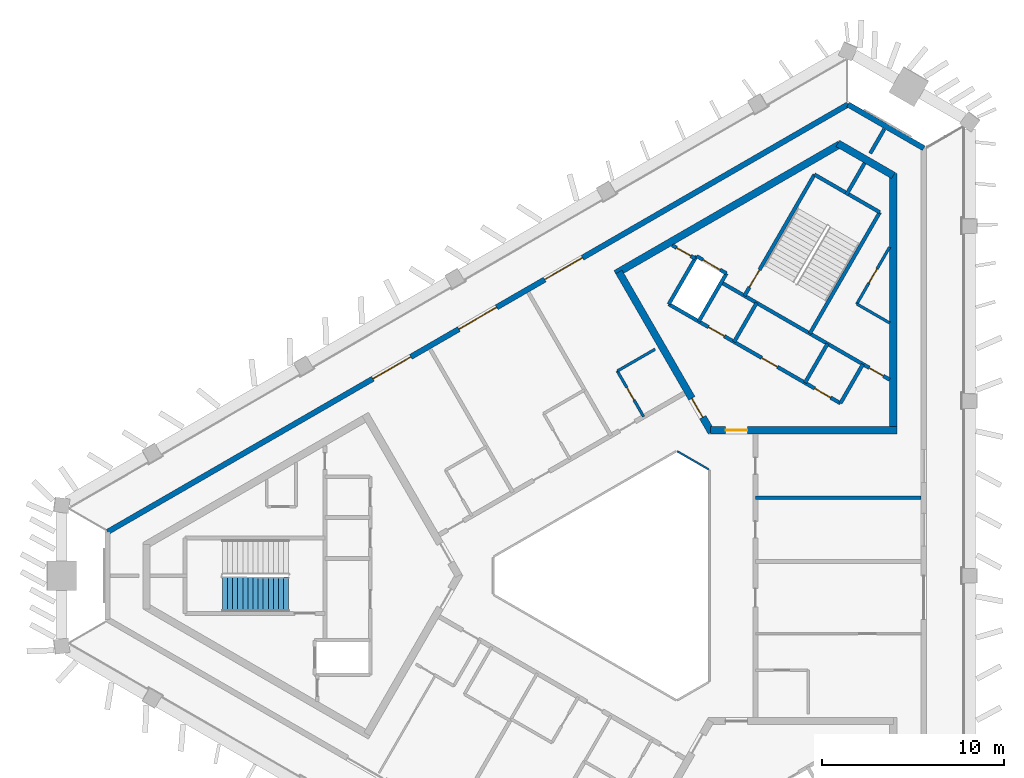
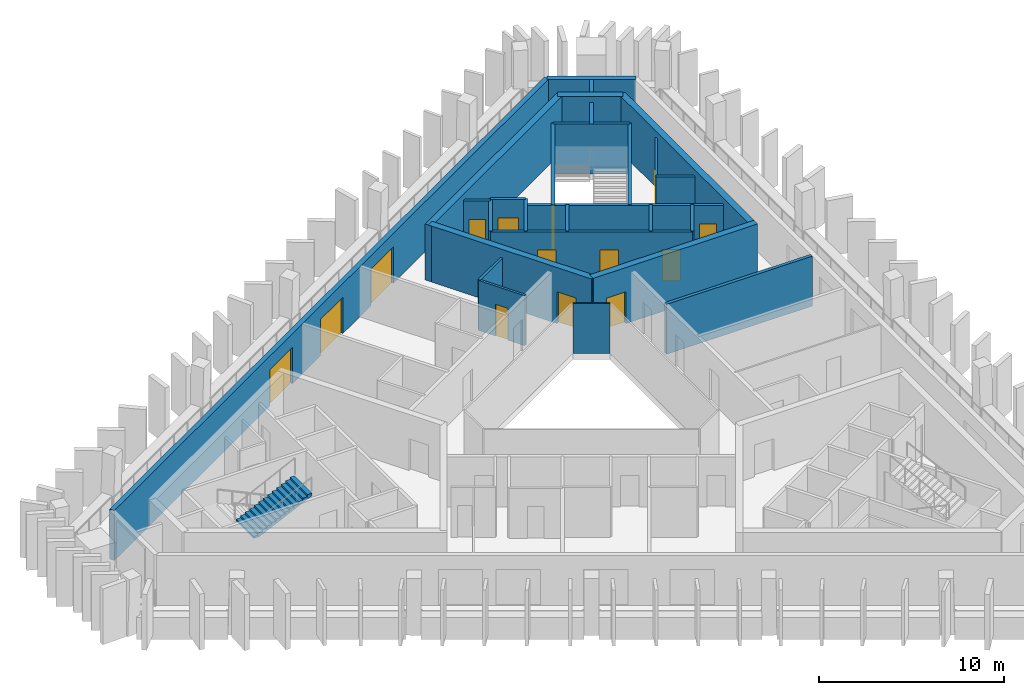
# One storey, part 5 of 10: 27 walls, 14 doors, 1 stair flight, 14 openings, 1 element without a shape of its own.
"""IFC4 building model written with IfcOpenShell, lengths in metres."""

import ifcopenshell
import ifcopenshell.guid

model = None  # the IFC model being written
_history = None  # IfcOwnerHistory: only IFC2X3 demands one
_inside = {}  # id of a spatial element -> (the spatial element, [elements in it])
_under = {}  # id of a project, library or spatial element -> (it, [spatial elements below it])
_declared = {}  # id of a project -> (the project, [libraries it declares])
_typed = {}  # id of a type object -> (the type object, [elements of that type])
_made_of = {}  # id of a material, layer set ... -> (it, [elements and type objects made of it])


def new_model(schema):
    """Start an empty IFC model of exactly this schema.

    Asked for "IFC4X3", IfcOpenShell would pick the latest addendum, in which some entities
    have other attributes; the version numbers below select the first issue.
    IFC2X3 requires an IfcOwnerHistory on every rooted entity: one is made here for all.
    """
    global model, _history
    if schema == "IFC4X3":
        model = ifcopenshell.file(schema_version=(4, 3, 0, 0))
    else:
        model = ifcopenshell.file(schema=schema)
    _inside.clear()
    _under.clear()
    _declared.clear()
    _typed.clear()
    _made_of.clear()
    _history = None
    if model.schema == "IFC2X3":
        org = make("IfcOrganization", Name="unknown")
        user = make(
            "IfcPersonAndOrganization",
            ThePerson=make("IfcPerson", FamilyName="unknown"),
            TheOrganization=org,
        )
        app = make(
            "IfcApplication",
            ApplicationDeveloper=org,
            Version="unknown",
            ApplicationFullName="unknown",
            ApplicationIdentifier="unknown",
        )
        _history = make(
            "IfcOwnerHistory",
            OwningUser=user,
            OwningApplication=app,
            ChangeAction="ADDED",
            CreationDate=0,
        )
    return model


def make(cls, **values):
    """One entity of the class cls with the attributes given. An attribute that is None is left unset."""
    return model.create_entity(
        cls, **{name: value for name, value in values.items() if value is not None}
    )


def rooted(cls, **values):
    """An entity with a GlobalId (a new one), such as an element, a storey or a relation."""
    return make(cls, GlobalId=ifcopenshell.guid.new(), OwnerHistory=_history, **values)


def si_unit(unit_type, name, prefix=None):
    """IfcSIUnit, for example si_unit("LENGTHUNIT", "METRE", prefix="MILLI")."""
    return make("IfcSIUnit", UnitType=unit_type, Prefix=prefix, Name=name)


def assignment(units):
    """IfcUnitAssignment: the units of a project."""
    return None if units is None else make("IfcUnitAssignment", Units=units)


def point(xyz):
    """IfcCartesianPoint."""
    return None if xyz is None else make("IfcCartesianPoint", Coordinates=xyz)


def direction(xyz):
    """IfcDirection."""
    return None if xyz is None else make("IfcDirection", DirectionRatios=xyz)


def frame(location, z_axis=None, x_axis=None):
    """IfcAxis2Placement3D, a coordinate frame: its origin and axes. An axis left out is left unset."""
    return make(
        "IfcAxis2Placement3D",
        Location=point(location),
        Axis=direction(z_axis),
        RefDirection=direction(x_axis),
    )


def frame_2d(location, x_axis=None):
    """IfcAxis2Placement2D, a coordinate frame in the plane: its origin and x axis."""
    return make(
        "IfcAxis2Placement2D", Location=point(location), RefDirection=direction(x_axis)
    )


def origin():
    """The frame at (0, 0, 0) with its axes left unset."""
    return frame((0.0, 0.0, 0.0))


def place(relative_to, where):
    """IfcLocalPlacement: puts the frame where relative to a parent placement (None: the world)."""
    return make(
        "IfcLocalPlacement", PlacementRelTo=relative_to, RelativePlacement=where
    )


def context(
    kind, dimensions, precision=None, world=None, true_north=None, identifier=None
):
    """IfcGeometricRepresentationContext, for example the 3D "Model" context."""
    return make(
        "IfcGeometricRepresentationContext",
        ContextIdentifier=identifier,
        ContextType=kind,
        CoordinateSpaceDimension=dimensions,
        Precision=precision,
        WorldCoordinateSystem=world,
        TrueNorth=true_north,
    )


def subcontext(parent, identifier, kind, view, scale=None):
    """IfcGeometricRepresentationSubContext, for example "Body" below "Model"."""
    return make(
        "IfcGeometricRepresentationSubContext",
        ContextIdentifier=identifier,
        ContextType=kind,
        ParentContext=parent,
        TargetScale=scale,
        TargetView=view,
    )


def project(units=None, contexts=None):
    """IfcProject with its units and contexts."""
    return rooted(
        "IfcProject",
        Name="project",
        RepresentationContexts=contexts,
        UnitsInContext=assignment(units),
    )


def spatial(cls, under=None, at=None, **own):
    """A site, building, storey or space (cls), placed at a placement, below another one or the project."""
    s = rooted(cls, ObjectPlacement=at, **own)
    if under is not None:
        _under.setdefault(under.id(), (under, []))[1].append(s)
    return s


def polyline(points):
    """IfcPolyline through the points."""
    return make("IfcPolyline", Points=[point(p) for p in points])


def profile(cls, at=None, kind="AREA", **sizes):
    """A parametric profile (cls). Its sizes go by their IFC names, for example OverallWidth=200.0."""
    return make(cls, ProfileType=kind, Position=at, **sizes)


def rectangle(**sizes):
    """IfcRectangleProfileDef."""
    return profile("IfcRectangleProfileDef", **sizes)


def outline(outer, holes=None, kind="AREA"):
    """IfcArbitraryClosedProfileDef: a profile drawn as a closed curve; with holes, ...WithVoids."""
    if holes is None:
        return make("IfcArbitraryClosedProfileDef", ProfileType=kind, OuterCurve=outer)
    return make(
        "IfcArbitraryProfileDefWithVoids",
        ProfileType=kind,
        OuterCurve=outer,
        InnerCurves=holes,
    )


def extrude(swept, where, along, depth):
    """IfcExtrudedAreaSolid: the profile swept, set in the frame where, extruded along a direction by depth."""
    return make(
        "IfcExtrudedAreaSolid",
        SweptArea=swept,
        Position=where,
        ExtrudedDirection=direction(along),
        Depth=depth,
    )


def shape(context_of_items, identifier, shape_type, items):
    """IfcShapeRepresentation: the items that make up one representation, for example the "Body"."""
    return make(
        "IfcShapeRepresentation",
        ContextOfItems=context_of_items,
        RepresentationIdentifier=identifier,
        RepresentationType=shape_type,
        Items=items,
    )


def material(Name=None, Category=None):
    """IfcMaterial."""
    return make("IfcMaterial", Name=Name, Category=Category)


def layer(
    of_material, thickness, ventilated=None, Name=None, Category=None, Priority=None
):
    """IfcMaterialLayer: one layer of a wall or slab, of a material (None: an air gap)."""
    return make(
        "IfcMaterialLayer",
        Material=of_material,
        LayerThickness=thickness,
        IsVentilated=ventilated,
        Name=Name,
        Category=Category,
        Priority=Priority,
    )


def layer_set(layers, Name=None):
    """IfcMaterialLayerSet."""
    return make("IfcMaterialLayerSet", MaterialLayers=layers, LayerSetName=Name)


def made_of(thing, what):
    """Note that an element or type object is made of a material, layer set ...; save() writes the relation."""
    if what is not None:
        _made_of.setdefault(what.id(), (what, []))[1].append(thing)
    return thing


def type_object(cls, material=None, **own):
    """A type object (cls), such as IfcWallType, which elements share."""
    return made_of(rooted(cls, **own), material)


def element(
    cls,
    number,
    at=None,
    inside=None,
    cuts=None,
    type_object=None,
    material=None,
    context=None,
    identifier="Body",
    shape_type=None,
    held_by="IfcProductDefinitionShape",
    body=None,
    shapes=None,
    **own,
):
    """One element of the class cls, such as IfcWall. Its Tag is "e" and its number.

    at: its placement. inside: the storey or other place that contains it. cuts: it is an
    opening in that element (IfcRelVoidsElement). A single representation is given by context,
    identifier, shape_type and body (its items); several are given by shapes. held_by: the class
    of the entity that holds the representations. save() writes the other relations.
    """
    e = rooted(cls, Tag="e%d" % number, ObjectPlacement=at, **own)
    if body is not None:
        shapes = [shape(context, identifier, shape_type, body)]
    if shapes is not None:
        e.Representation = make(held_by, Representations=shapes)
    if inside is not None:
        _inside.setdefault(inside.id(), (inside, []))[1].append(e)
    if cuts is not None:
        rooted(
            "IfcRelVoidsElement", RelatingBuildingElement=cuts, RelatedOpeningElement=e
        )
    if type_object is not None:
        _typed.setdefault(type_object.id(), (type_object, []))[1].append(e)
    return made_of(e, material)


def fill(opening, filler):
    """IfcRelFillsElement: the door or window that sits in an opening."""
    return rooted(
        "IfcRelFillsElement",
        RelatingOpeningElement=opening,
        RelatedBuildingElement=filler,
    )


def aggregate(whole, parts):
    """IfcRelAggregates: a whole, such as a stair, and the parts it consists of."""
    return rooted("IfcRelAggregates", RelatingObject=whole, RelatedObjects=parts)


def save(model, path):
    """Write the relations noted so far, then the file.

    IfcRelAggregates (storeys below a building ...), IfcRelContainedInSpatialStructure (elements
    in a storey), IfcRelDefinesByType, IfcRelAssociatesMaterial and IfcRelDeclares: one each for
    every whole, place, type object, material and project.
    """
    for whole, parts in _under.values():
        aggregate(whole, parts)
    for where, things in _inside.values():
        rooted(
            "IfcRelContainedInSpatialStructure",
            RelatedElements=things,
            RelatingStructure=where,
        )
    for kind, things in _typed.values():
        rooted("IfcRelDefinesByType", RelatedObjects=things, RelatingType=kind)
    for what, things in _made_of.values():
        rooted("IfcRelAssociatesMaterial", RelatedObjects=things, RelatingMaterial=what)
    for by, libraries in _declared.values():
        rooted("IfcRelDeclares", RelatingContext=by, RelatedDefinitions=libraries)
    model.write(path)


model = new_model("IFC4")

# Units and contexts
model_context = context("Model", 3, precision=1e-05, world=origin(), true_north=direction((0.0, 1.0)))
body_context = subcontext(model_context, "Body", "Model", "MODEL_VIEW")
ifc_project = project(units=[si_unit("LENGTHUNIT", "METRE"), si_unit("AREAUNIT", "SQUARE_METRE"), si_unit("VOLUMEUNIT", "CUBIC_METRE"), si_unit("PLANEANGLEUNIT", "RADIAN"), si_unit("MASSUNIT", "GRAM", prefix="KILO")], contexts=[model_context])

# Site, building, storey
site_placement = place(None, origin())
site = spatial("IfcSite", under=ifc_project, at=site_placement, CompositionType="ELEMENT")
building_placement = place(site_placement, origin())
building = spatial("IfcBuilding", under=site, at=building_placement, Name="Jabali Bay Hotel Tower and Convention Centre", CompositionType="ELEMENT")
storey_placement = place(building_placement, frame((0.0, 0.0, 284.89990234375)))
storey = spatial("IfcBuildingStorey", under=building, at=storey_placement, Name="L70", CompositionType="ELEMENT", Elevation=284.89990234375)

# Walls
ifc_material_1 = material(Name="Fire-resistant glazing", Category="glass")
ifc_layer_1 = layer(ifc_material_1, 0.10009765625)
ifc_layer_set_1 = layer_set([ifc_layer_1], Name="Fire-resistant glazing")
wall_type_1 = type_object("IfcWallType", Name="Atrium glazed screen 100", PredefinedType="PARTITIONING", material=ifc_layer_set_1)
wall_1_placement = place(storey_placement, frame((79.530029296875, 85.84619140625, 0.0), z_axis=(0.0, 0.0, 1.0), x_axis=(-0.866041268327, 0.499972520799, 0.0)))
element("IfcWall", 1, at=wall_1_placement, inside=storey, type_object=wall_type_1, Name="Atrium screen 2 L70", PredefinedType="PARTITIONING", context=body_context, shape_type="SweptSolid", body=[
    extrude(rectangle(XDim=2.0, YDim=0.10009765625, at=frame_2d((1.0, 0.0))), origin(), (0.0, 0.0, 1.0), 3.300048828125),
])
ifc_material_2 = material(Name="Concrete C40", Category="concrete")
ifc_layer_2 = layer(ifc_material_2, 0.199951171875)
ifc_layer_set_2 = layer_set([ifc_layer_2], Name="Concrete C40")
wall_type_2 = type_object("IfcWallType", Name="Core partition wall 200", PredefinedType="PARTITIONING", material=ifc_layer_set_2)
wall_2_placement = place(storey_placement, frame((87.090087890625, 100.9404296875, 0.0), z_axis=(0.0, 0.0, 1.0), x_axis=(0.499941815747, 0.866058993873, 0.0)))
element("IfcWall", 2, at=wall_2_placement, inside=storey, type_object=wall_type_2, Name="Core wall 1.4 L70", PredefinedType="PARTITIONING", context=body_context, shape_type="SweptSolid", body=[
    extrude(rectangle(XDim=2.023193359375, YDim=0.199951171875, at=frame_2d((1.01171875, 0.0))), origin(), (0.0, 0.0, 1.0), 3.300048828125),
])

# Wall, opening, door
wall_3_placement = place(storey_placement, frame((78.7802734375, 97.447509765625, 0.0), z_axis=(0.0, 0.0, 1.0), x_axis=(-0.866045896294, 0.499964504253, 0.0)))
wall_3 = element("IfcWall", 3, at=wall_3_placement, inside=storey, type_object=wall_type_2, Name="Core wall 1.11 L70", PredefinedType="PARTITIONING", context=body_context, shape_type="SweptSolid", body=[
    extrude(rectangle(XDim=1.455078125, YDim=0.199951171875, at=frame_2d((0.7275390625, 0.0))), origin(), (0.0, 0.0, 1.0), 3.300048828125),
])
opening_1_placement = place(wall_3_placement, frame((0.277587890625, 0.0, 0.0)))
opening_1 = element("IfcOpeningElement", 4, at=opening_1_placement, cuts=wall_3, Name="Opening D1553", PredefinedType="OPENING", context=body_context, shape_type="SweptSolid", body=[
    extrude(rectangle(XDim=0.89990234375, YDim=2.10009765625, at=frame_2d((0.449951171875, 1.050048828125))), frame((0.0, 0.1103515625, 0.0), z_axis=(0.0, -1.0, 0.0), x_axis=(1.0, 0.0, 0.0)), (0.0, 0.0, 1.0), 0.220947265625),
])
ifc_material_3 = material(Name="Fire-rated steel door", Category="steel")
door_type_1 = type_object("IfcDoorType", Name="Vestibule fire door 900 x 2100", OperationType="NOTDEFINED", PredefinedType="NOTDEFINED", material=ifc_material_3)
door_1_placement = place(opening_1_placement, origin())
door_1 = element("IfcDoor", 5, at=door_1_placement, inside=storey, type_object=door_type_1, Name="Vestibule fire door D1553", OperationType="SINGLE_SWING_LEFT", OverallHeight=2.10009765625, OverallWidth=0.89990234375, PredefinedType="NOTDEFINED", context=body_context, shape_type="SweptSolid", body=[
    extrude(rectangle(XDim=0.89990234375, YDim=2.10009765625, at=frame_2d((0.449951171875, 1.050048828125))), frame((0.0, 0.02490234375, 0.0), z_axis=(0.0, -1.0, 0.0), x_axis=(1.0, 0.0, 0.0)), (0.0, 0.0, 1.0), 0.050048828125),
])
fill(opening_1, door_1)

ifc_material_4 = material(Name="Fire-rated board partition")
ifc_layer_3 = layer(ifc_material_4, 0.14990234375)
ifc_layer_set_3 = layer_set([ifc_layer_3], Name="Fire-rated board partition")
wall_type_3 = type_object("IfcWallType", Name="Core room partition 150", PredefinedType="PARTITIONING", material=ifc_layer_set_3)
wall_4_placement = place(storey_placement, frame((87.671142578125, 94.947021484375, 0.0), z_axis=(0.0, 0.0, 1.0), x_axis=(0.499993116331, 0.866029378036, 0.0)))
wall_4 = element("IfcWall", 6, at=wall_4_placement, inside=storey, type_object=wall_type_3, Name="Core wall 1.1 L70", PredefinedType="PARTITIONING", context=body_context, shape_type="SweptSolid", body=[
    extrude(rectangle(XDim=3.61767578125, YDim=0.14990234375, at=frame_2d((1.808837890625, 0.0))), origin(), (0.0, 0.0, 1.0), 3.300048828125),
])
opening_2_placement = place(wall_4_placement, frame((1.33154296875, 0.0, 0.0)))
opening_2 = element("IfcOpeningElement", 7, at=opening_2_placement, cuts=wall_4, Name="Opening D1556", PredefinedType="OPENING", context=body_context, shape_type="SweptSolid", body=[
    extrude(rectangle(XDim=0.89990234375, YDim=2.10009765625, at=frame_2d((0.449951171875, 1.050048828125))), frame((0.0, 0.08544921875, 0.0), z_axis=(0.0, -1.0, 0.0), x_axis=(1.0, 0.0, 0.0)), (0.0, 0.0, 1.0), 0.1708984375),
])
door_type_2 = type_object("IfcDoorType", Name="Core room door 900 x 2100", OperationType="NOTDEFINED", PredefinedType="NOTDEFINED", material=ifc_material_3)
door_2_placement = place(opening_2_placement, origin())
door_2 = element("IfcDoor", 8, at=door_2_placement, inside=storey, type_object=door_type_2, Name="Core room door D1556", OperationType="SINGLE_SWING_LEFT", OverallHeight=2.10009765625, OverallWidth=0.89990234375, PredefinedType="NOTDEFINED", context=body_context, shape_type="SweptSolid", body=[
    extrude(rectangle(XDim=0.89990234375, YDim=2.10009765625, at=frame_2d((0.449951171875, 1.050048828125))), frame((0.0, 0.02490234375, 0.0), z_axis=(0.0, -1.0, 0.0), x_axis=(1.0, 0.0, 0.0)), (0.0, 0.0, 1.0), 0.050048828125),
])
fill(opening_2, door_2)

# Walls
wall_5_placement = place(storey_placement, frame((89.47998046875, 93.902587890625, 0.0), z_axis=(0.0, 0.0, 1.0), x_axis=(-0.866004557827, 0.500036104519, 0.0)))
element("IfcWall", 9, at=wall_5_placement, inside=storey, type_object=wall_type_3, Name="Core wall 1.13 L70", PredefinedType="PARTITIONING", context=body_context, shape_type="SweptSolid", body=[
    extrude(rectangle(XDim=2.088623046875, YDim=0.14990234375, at=frame_2d((1.04443359375, 0.0))), origin(), (0.0, 0.0, 1.0), 3.300048828125),
])
ifc_layer_4 = layer(ifc_material_2, 0.199951171875)
ifc_layer_set_4 = layer_set([ifc_layer_4], Name="Concrete C40")
wall_type_4 = type_object("IfcWallType", Name="Core stair wall 200", PredefinedType="SOLIDWALL", material=ifc_layer_set_4)
for number, where, z_axis, x_axis, name in (
    (10, (86.769775390625, 89.48583984375, 0.0), (0.0, 0.0, 1.0), (0.499961042966, 0.86604789447, 0.0), "Core wall 1.0 L70"),
    (11, (84.8212890625, 90.61083984375, 0.0), (0.0, 0.0, 1.0), (0.499961042966, 0.86604789447, 0.0), "Core wall 1.2 L70"),
):
    element("IfcWall", number, at=place(storey_placement, frame(where, z_axis=z_axis, x_axis=x_axis)), inside=storey, type_object=wall_type_4, Name=name, PredefinedType="SOLIDWALL", context=body_context, shape_type="SweptSolid", body=[
        extrude(rectangle(XDim=2.480224609375, YDim=0.199951171875, at=frame_2d((1.240234375, 0.0))), origin(), (0.0, 0.0, 1.0), 3.300048828125),
    ])
wall_6_placement = place(storey_placement, frame((85.0869140625, 93.3212890625, 0.0), z_axis=(0.0, 0.0, 1.0), x_axis=(0.500019787375, 0.866013979237, 0.0)))
element("IfcWall", 12, at=wall_6_placement, inside=storey, type_object=wall_type_4, Name="Core wall 1.3 L70", PredefinedType="SOLIDWALL", context=body_context, shape_type="SweptSolid", body=[
    extrude(rectangle(XDim=7.699951171875, YDim=0.199951171875, at=frame_2d((3.85009765625, 0.0))), origin(), (0.0, 0.0, 1.0), 3.300048828125),
])
wall_7_placement = place(storey_placement, frame((80.924072265625, 92.86083984375, 0.0), z_axis=(0.0, 0.0, 1.0), x_axis=(0.499961042966, 0.86604789447, 0.0)))
element("IfcWall", 13, at=wall_7_placement, inside=storey, type_object=wall_type_4, Name="Core wall 1.5 L70", PredefinedType="SOLIDWALL", context=body_context, shape_type="SweptSolid", body=[
    extrude(rectangle(XDim=2.480224609375, YDim=0.199951171875, at=frame_2d((1.240234375, 0.0))), origin(), (0.0, 0.0, 1.0), 3.300048828125),
])

# Wall, opening, door
wall_8_placement = place(storey_placement, frame((81.492919921875, 95.396240234375, 0.0), z_axis=(0.0, 0.0, 1.0), x_axis=(0.500006057782, 0.866021906294, 0.0)))
wall_8 = element("IfcWall", 14, at=wall_8_placement, inside=storey, type_object=wall_type_4, Name="Core wall 1.6 L70", PredefinedType="SOLIDWALL", context=body_context, shape_type="SweptSolid", body=[
    extrude(rectangle(XDim=7.7001953125, YDim=0.199951171875, at=frame_2d((3.85009765625, 0.0))), origin(), (0.0, 0.0, 1.0), 3.300048828125),
])
opening_3_placement = place(wall_8_placement, frame((0.550048828125, 0.0, 0.0)))
opening_3 = element("IfcOpeningElement", 15, at=opening_3_placement, cuts=wall_8, Name="Opening D1555", PredefinedType="OPENING", context=body_context, shape_type="SweptSolid", body=[
    extrude(rectangle(XDim=1.10009765625, YDim=2.10009765625, at=frame_2d((0.550048828125, 1.050048828125))), frame((0.0, 0.1103515625, 0.0), z_axis=(0.0, -1.0, 0.0), x_axis=(1.0, 0.0, 0.0)), (0.0, 0.0, 1.0), 0.220947265625),
])
door_type_3 = type_object("IfcDoorType", Name="Stair fire door 1100 x 2100", OperationType="NOTDEFINED", PredefinedType="NOTDEFINED", material=ifc_material_3)
door_3_placement = place(opening_3_placement, origin())
door_3 = element("IfcDoor", 16, at=door_3_placement, inside=storey, type_object=door_type_3, Name="Stair fire door D1555", OperationType="SINGLE_SWING_RIGHT", OverallHeight=2.10009765625, OverallWidth=1.10009765625, PredefinedType="NOTDEFINED", context=body_context, shape_type="SweptSolid", body=[
    extrude(rectangle(XDim=1.10009765625, YDim=2.10009765625, at=frame_2d((0.550048828125, 1.050048828125))), frame((0.0, 0.02490234375, 0.0), z_axis=(0.0, -1.0, 0.0), x_axis=(1.0, 0.0, 0.0)), (0.0, 0.0, 1.0), 0.050048828125),
])
fill(opening_3, door_3)

# Walls
for number, where, z_axis, x_axis, name in (
    (17, (78.9755859375, 93.98583984375, 0.0), (0.0, 0.0, 1.0), (0.499944174705, 0.866057632134, 0.0), "Core wall 1.7 L70"),
    (18, (77.330078125, 94.93603515625, 0.0), (0.0, 0.0, 1.0), (0.500038867431, 0.8660029625, 0.0), "Core wall 1.8 L70"),
):
    element("IfcWall", number, at=place(storey_placement, frame(where, z_axis=z_axis, x_axis=x_axis)), inside=storey, type_object=wall_type_4, Name=name, PredefinedType="SOLIDWALL", context=body_context, shape_type="SweptSolid", body=[
        extrude(rectangle(XDim=3.050048828125, YDim=0.199951171875, at=frame_2d((1.52490234375, 0.0))), origin(), (0.0, 0.0, 1.0), 3.300048828125),
    ])

# Wall, openings, doors
wall_9_placement = place(storey_placement, frame((86.769775390625, 89.48583984375, 0.0), z_axis=(0.0, 0.0, 1.0), x_axis=(-0.86601811187, 0.500012629753, 0.0)))
wall_9 = element("IfcWall", 19, at=wall_9_placement, inside=storey, type_object=wall_type_4, Name="Core wall 1.9 L70", PredefinedType="SOLIDWALL", context=body_context, shape_type="SweptSolid", body=[
    extrude(rectangle(XDim=10.900146484375, YDim=0.199951171875, at=frame_2d((5.4501953125, 0.0))), origin(), (0.0, 0.0, 1.0), 3.300048828125),
])
opening_4_placement = place(wall_9_placement, frame((0.625, 0.0, 0.0)))
opening_4 = element("IfcOpeningElement", 20, at=opening_4_placement, cuts=wall_9, Name="Opening D1550", PredefinedType="OPENING", context=body_context, shape_type="SweptSolid", body=[
    extrude(rectangle(XDim=1.0, YDim=2.10009765625, at=frame_2d((0.5, 1.050048828125))), frame((0.0, 0.1103515625, 0.0), z_axis=(0.0, -1.0, 0.0), x_axis=(1.0, 0.0, 0.0)), (0.0, 0.0, 1.0), 0.220947265625),
])
opening_5_placement = place(wall_9_placement, frame((4.0, 0.0, 0.0)))
opening_5 = element("IfcOpeningElement", 21, at=opening_5_placement, cuts=wall_9, Name="Opening D1551", PredefinedType="OPENING", context=body_context, shape_type="SweptSolid", body=[
    extrude(rectangle(XDim=1.0, YDim=2.10009765625, at=frame_2d((0.5, 1.050048828125))), frame((0.0, 0.1103515625, 0.0), z_axis=(0.0, -1.0, 0.0), x_axis=(1.0, 0.0, 0.0)), (0.0, 0.0, 1.0), 0.220947265625),
])
opening_6_placement = place(wall_9_placement, frame((7.375, 0.0, 0.0)))
opening_6 = element("IfcOpeningElement", 22, at=opening_6_placement, cuts=wall_9, Name="Opening D1552", PredefinedType="OPENING", context=body_context, shape_type="SweptSolid", body=[
    extrude(rectangle(XDim=1.0, YDim=2.10009765625, at=frame_2d((0.5, 1.050048828125))), frame((0.0, 0.1103515625, 0.0), z_axis=(0.0, -1.0, 0.0), x_axis=(1.0, 0.0, 0.0)), (0.0, 0.0, 1.0), 0.220947265625),
])
door_type_4 = type_object("IfcDoorType", Name="Core room door 1000 x 2100", OperationType="NOTDEFINED", PredefinedType="NOTDEFINED", material=ifc_material_3)
door_4_placement = place(opening_4_placement, origin())
door_4 = element("IfcDoor", 23, at=door_4_placement, inside=storey, type_object=door_type_4, Name="Core room door D1550", OperationType="SINGLE_SWING_RIGHT", OverallHeight=2.10009765625, OverallWidth=1.0, PredefinedType="NOTDEFINED", context=body_context, shape_type="SweptSolid", body=[
    extrude(rectangle(XDim=1.0, YDim=2.10009765625, at=frame_2d((0.5, 1.050048828125))), frame((0.0, 0.02490234375, 0.0), z_axis=(0.0, -1.0, 0.0), x_axis=(1.0, 0.0, 0.0)), (0.0, 0.0, 1.0), 0.050048828125),
])
fill(opening_4, door_4)
door_5_placement = place(opening_5_placement, origin())
door_5 = element("IfcDoor", 24, at=door_5_placement, inside=storey, type_object=door_type_4, Name="Core room door D1551", OperationType="SINGLE_SWING_RIGHT", OverallHeight=2.10009765625, OverallWidth=1.0, PredefinedType="NOTDEFINED", context=body_context, shape_type="SweptSolid", body=[
    extrude(rectangle(XDim=1.0, YDim=2.10009765625, at=frame_2d((0.5, 1.050048828125))), frame((0.0, 0.02490234375, 0.0), z_axis=(0.0, -1.0, 0.0), x_axis=(1.0, 0.0, 0.0)), (0.0, 0.0, 1.0), 0.050048828125),
])
fill(opening_5, door_5)
door_6_placement = place(opening_6_placement, origin())
door_6 = element("IfcDoor", 25, at=door_6_placement, inside=storey, type_object=door_type_4, Name="Core room door D1552", OperationType="SINGLE_SWING_RIGHT", OverallHeight=2.10009765625, OverallWidth=1.0, PredefinedType="NOTDEFINED", context=body_context, shape_type="SweptSolid", body=[
    extrude(rectangle(XDim=1.0, YDim=2.10009765625, at=frame_2d((0.5, 1.050048828125))), frame((0.0, 0.02490234375, 0.0), z_axis=(0.0, -1.0, 0.0), x_axis=(1.0, 0.0, 0.0)), (0.0, 0.0, 1.0), 0.050048828125),
])
fill(opening_6, door_6)

# Wall, opening, door
wall_10_placement = place(storey_placement, frame((89.47998046875, 90.784912109375, 0.0), z_axis=(0.0, 0.0, 1.0), x_axis=(-0.866022544512, 0.500004952373, 0.0)))
wall_10 = element("IfcWall", 26, at=wall_10_placement, inside=storey, type_object=wall_type_4, Name="Core wall 1.10 L70", PredefinedType="SOLIDWALL", context=body_context, shape_type="SweptSolid", body=[
    extrude(rectangle(XDim=10.69775390625, YDim=0.199951171875, at=frame_2d((5.348876953125, 0.0))), origin(), (0.0, 0.0, 1.0), 3.300048828125),
])
opening_7_placement = place(wall_10_placement, frame((0.398681640625, 0.0, 0.0)))
opening_7 = element("IfcOpeningElement", 27, at=opening_7_placement, cuts=wall_10, Name="Opening D1554", PredefinedType="OPENING", context=body_context, shape_type="SweptSolid", body=[
    extrude(rectangle(XDim=0.89990234375, YDim=2.10009765625, at=frame_2d((0.449951171875, 1.050048828125))), frame((0.0, 0.1103515625, 0.0), z_axis=(0.0, -1.0, 0.0), x_axis=(1.0, 0.0, 0.0)), (0.0, 0.0, 1.0), 0.220947265625),
])
door_7_placement = place(opening_7_placement, origin())
door_7 = element("IfcDoor", 28, at=door_7_placement, inside=storey, type_object=door_type_1, Name="Vestibule fire door D1554", OperationType="SINGLE_SWING_LEFT", OverallHeight=2.10009765625, OverallWidth=0.89990234375, PredefinedType="NOTDEFINED", context=body_context, shape_type="SweptSolid", body=[
    extrude(rectangle(XDim=0.89990234375, YDim=2.10009765625, at=frame_2d((0.449951171875, 1.050048828125))), frame((0.0, 0.02490234375, 0.0), z_axis=(0.0, -1.0, 0.0), x_axis=(1.0, 0.0, 0.0)), (0.0, 0.0, 1.0), 0.050048828125),
])
fill(opening_7, door_7)

wall_11_placement = place(storey_placement, frame((80.50048828125, 96.62744140625, 0.0), z_axis=(0.0, 0.0, 1.0), x_axis=(-0.86601224135, 0.500022797313, 0.0)))
wall_11 = element("IfcWall", 29, at=wall_11_placement, inside=storey, type_object=wall_type_4, Name="Core wall 1.12 L70", PredefinedType="SOLIDWALL", context=body_context, shape_type="SweptSolid", body=[
    extrude(rectangle(XDim=1.89990234375, YDim=0.199951171875, at=frame_2d((0.949951171875, 0.0))), origin(), (0.0, 0.0, 1.0), 3.300048828125),
])
opening_8_placement = place(wall_11_placement, frame((0.39990234375, 0.0, 0.0)))
opening_8 = element("IfcOpeningElement", 30, at=opening_8_placement, cuts=wall_11, Name="Opening LD10-L70", PredefinedType="OPENING", context=body_context, shape_type="SweptSolid", body=[
    extrude(rectangle(XDim=1.10009765625, YDim=2.10009765625, at=frame_2d((0.550048828125, 1.050048828125))), frame((0.0, 0.1103515625, 0.0), z_axis=(0.0, -1.0, 0.0), x_axis=(1.0, 0.0, 0.0)), (0.0, 0.0, 1.0), 0.220947265625),
])
ifc_material_5 = material(Name="Stainless steel landing door", Category="steel")
door_type_5 = type_object("IfcDoorType", Name="Landing door 1100 x 2100", OperationType="NOTDEFINED", PredefinedType="NOTDEFINED", material=ifc_material_5)
door_8_placement = place(opening_8_placement, origin())
door_8 = element("IfcDoor", 31, at=door_8_placement, inside=storey, type_object=door_type_5, Name="Landing doors LD10-L70", OperationType="SLIDING_TO_RIGHT", OverallHeight=2.10009765625, OverallWidth=1.10009765625, PredefinedType="NOTDEFINED", context=body_context, shape_type="SweptSolid", body=[
    extrude(rectangle(XDim=1.10009765625, YDim=2.10009765625, at=frame_2d((0.550048828125, 1.050048828125))), frame((0.0, 0.02490234375, 0.0), z_axis=(0.0, -1.0, 0.0), x_axis=(1.0, 0.0, 0.0)), (0.0, 0.0, 1.0), 0.050048828125),
])
fill(opening_8, door_8)

# Wall
wall_12_placement = place(storey_placement, frame((88.93701171875, 99.989501953125, 0.0), z_axis=(0.0, 0.0, 1.0), x_axis=(-0.866004344652, 0.500036473714, 0.0)))
element("IfcWall", 32, at=wall_12_placement, inside=storey, type_object=wall_type_4, Name="Core wall 1.14 L70", PredefinedType="SOLIDWALL", context=body_context, shape_type="SweptSolid", body=[
    extrude(rectangle(XDim=4.150146484375, YDim=0.199951171875, at=frame_2d((2.0751953125, 0.0))), origin(), (0.0, 0.0, 1.0), 3.300048828125),
])

# Wall, opening, door
ifc_material_6 = material(Name="Concrete C60", Category="concrete")
ifc_layer_5 = layer(ifc_material_6, 0.39990234375)
ifc_layer_set_5 = layer_set([ifc_layer_5], Name="Concrete C60")
wall_type_5 = type_object("IfcWallType", Name="Core wall 400", PredefinedType="SHEAR", material=ifc_layer_set_5)
wall_13_placement = place(storey_placement, frame((79.615478515625, 87.994140625, 0.0), z_axis=(0.0, 0.0, 1.0), x_axis=(1.0, 0.0, 0.0)))
wall_13 = element("IfcWall", 33, at=wall_13_placement, inside=storey, type_object=wall_type_5, Name="Core wall 2.1 L70", PredefinedType="SHEAR", context=body_context, shape_type="SweptSolid", body=[
    extrude(rectangle(XDim=10.264404296875, YDim=0.39990234375, at=frame_2d((5.13232421875, 0.0))), origin(), (0.0, 0.0, 1.0), 3.7001953125),
])
opening_9_placement = place(wall_13_placement, frame((0.83447265625, 0.0, 0.0)))
opening_9 = element("IfcOpeningElement", 34, at=opening_9_placement, cuts=wall_13, Name="Opening D1548", PredefinedType="OPENING", context=body_context, shape_type="SweptSolid", body=[
    extrude(rectangle(XDim=1.199951171875, YDim=2.10009765625, at=frame_2d((0.60009765625, 1.050048828125))), frame((0.0, 0.21044921875, 0.0), z_axis=(0.0, -1.0, 0.0), x_axis=(1.0, 0.0, 0.0)), (0.0, 0.0, 1.0), 0.4208984375),
])
door_type_6 = type_object("IfcDoorType", Name="Corridor end fire door 1200 x 2100", OperationType="NOTDEFINED", PredefinedType="NOTDEFINED", material=ifc_material_3)
door_9_placement = place(opening_9_placement, origin())
door_9 = element("IfcDoor", 35, at=door_9_placement, inside=storey, type_object=door_type_6, Name="Corridor end fire door D1548", OperationType="SINGLE_SWING_RIGHT", OverallHeight=2.10009765625, OverallWidth=1.199951171875, PredefinedType="NOTDEFINED", context=body_context, shape_type="SweptSolid", body=[
    extrude(rectangle(XDim=1.199951171875, YDim=2.10009765625, at=frame_2d((0.60009765625, 1.050048828125))), frame((0.0, 0.02490234375, 0.0), z_axis=(0.0, -1.0, 0.0), x_axis=(1.0, 0.0, 0.0)), (0.0, 0.0, 1.0), 0.050048828125),
])
fill(opening_9, door_9)

# Walls
wall_14_placement = place(storey_placement, frame((89.679931640625, 87.994140625, 0.0), z_axis=(0.0, 0.0, 1.0), x_axis=(0.0, 1.0, 0.0)))
element("IfcWall", 36, at=wall_14_placement, inside=storey, type_object=wall_type_5, Name="Core wall 2.2 L70", PredefinedType="SHEAR", context=body_context, shape_type="SweptSolid", body=[
    extrude(rectangle(XDim=14.133544921875, YDim=0.39990234375, at=frame_2d((7.06689453125, 0.0))), origin(), (0.0, 0.0, 1.0), 3.7001953125),
])
wall_15_placement = place(storey_placement, frame((89.679931640625, 102.01220703125, 0.0), z_axis=(0.0, 0.0, 1.0), x_axis=(-0.866025485263, 0.499999858875, 0.0)))
element("IfcWall", 37, at=wall_15_placement, inside=storey, type_object=wall_type_5, Name="Core wall 2.3 L70", PredefinedType="SHEAR", context=body_context, shape_type="SweptSolid", body=[
    extrude(rectangle(XDim=3.52978515625, YDim=0.39990234375, at=frame_2d((1.764892578125, 0.0))), origin(), (0.0, 0.0, 1.0), 3.7001953125),
])
wall_16_placement = place(storey_placement, frame((86.72314453125, 103.71923828125, 0.0), z_axis=(0.0, 0.0, 1.0), x_axis=(-0.866030317223, -0.499991489579, 0.0)))
element("IfcWall", 38, at=wall_16_placement, inside=storey, type_object=wall_type_5, Name="Core wall 2.4 L70", PredefinedType="SHEAR", context=body_context, shape_type="SweptSolid", body=[
    extrude(rectangle(XDim=14.218017578125, YDim=0.39990234375, at=frame_2d((7.10888671875, 0.0))), origin(), (0.0, 0.0, 1.0), 3.7001953125),
])

# Wall, opening, door
wall_17_placement = place(storey_placement, frame((74.583251953125, 96.71044921875, 0.0), z_axis=(0.0, 0.0, 1.0), x_axis=(0.499987488796, -0.866032627011, 0.0)))
wall_17 = element("IfcWall", 39, at=wall_17_placement, inside=storey, type_object=wall_type_5, Name="Core wall 2.5 L70", PredefinedType="SHEAR", context=body_context, shape_type="SweptSolid", body=[
    extrude(rectangle(XDim=10.179931640625, YDim=0.39990234375, at=frame_2d((5.08984375, 0.0))), origin(), (0.0, 0.0, 1.0), 3.7001953125),
])
opening_10_placement = place(wall_17_placement, frame((8.030029296875, 0.0, 0.0)))
opening_10 = element("IfcOpeningElement", 40, at=opening_10_placement, cuts=wall_17, Name="Opening D1549", PredefinedType="OPENING", context=body_context, shape_type="SweptSolid", body=[
    extrude(rectangle(XDim=1.199951171875, YDim=2.10009765625, at=frame_2d((0.60009765625, 1.050048828125))), frame((0.0, 0.21044921875, 0.0), z_axis=(0.0, -1.0, 0.0), x_axis=(1.0, 0.0, 0.0)), (0.0, 0.0, 1.0), 0.4208984375),
])
door_10_placement = place(opening_10_placement, origin())
door_10 = element("IfcDoor", 41, at=door_10_placement, inside=storey, type_object=door_type_6, Name="Corridor end fire door D1549", OperationType="SINGLE_SWING_LEFT", OverallHeight=2.10009765625, OverallWidth=1.199951171875, PredefinedType="NOTDEFINED", context=body_context, shape_type="SweptSolid", body=[
    extrude(rectangle(XDim=1.199951171875, YDim=2.10009765625, at=frame_2d((0.60009765625, 1.050048828125))), frame((0.0, 0.02490234375, 0.0), z_axis=(0.0, -1.0, 0.0), x_axis=(1.0, 0.0, 0.0)), (0.0, 0.0, 1.0), 0.050048828125),
])
fill(opening_10, door_10)

# Wall
ifc_layer_6 = layer(ifc_material_2, 0.300048828125)
ifc_layer_set_6 = layer_set([ifc_layer_6], Name="Concrete C40")
wall_type_6 = type_object("IfcWallType", Name="External wall 300", PredefinedType="SOLIDWALL", material=ifc_layer_set_6)
wall_18_placement = place(storey_placement, frame((87.187744140625, 105.92041015625, 0.0), z_axis=(0.0, 0.0, 1.0), x_axis=(0.866023315909, -0.500003616288, 0.0)))
element("IfcWall", 42, at=wall_18_placement, inside=storey, type_object=wall_type_6, Name="External wall north-east chamfer L70", PredefinedType="SOLIDWALL", context=body_context, shape_type="SweptSolid", body=[
    extrude(rectangle(XDim=4.810546875, YDim=0.300048828125, at=frame_2d((2.4052734375, 0.0))), origin(), (0.0, 0.0, 1.0), 3.300048828125),
])

# Wall, openings, doors
wall_19_placement = place(storey_placement, frame((46.45849609375, 82.4052734375, 0.0), z_axis=(0.0, 0.0, 1.0), x_axis=(0.866024534676, 0.500001505337, 0.0)))
wall_19 = element("IfcWall", 43, at=wall_19_placement, inside=storey, type_object=wall_type_6, Name="External wall north-west face L70", PredefinedType="SOLIDWALL", context=body_context, shape_type="SweptSolid", body=[
    extrude(rectangle(XDim=47.030029296875, YDim=0.300048828125, at=frame_2d((23.51513671875, 0.0))), origin(), (0.0, 0.0, 1.0), 3.300048828125),
])
opening_11_placement = place(wall_19_placement, frame((16.859130859375, 0.0, 0.0)))
opening_11 = element("IfcOpeningElement", 44, at=opening_11_placement, cuts=wall_19, Name="Opening SD1", PredefinedType="OPENING", context=body_context, shape_type="SweptSolid", body=[
    extrude(rectangle(XDim=2.39990234375, YDim=2.39990234375, at=frame_2d((1.199951171875, 1.199951171875))), frame((0.0, 0.16064453125, 0.0), z_axis=(0.0, -1.0, 0.0), x_axis=(1.0, 0.0, 0.0)), (0.0, 0.0, 1.0), 0.321044921875),
])
opening_12_placement = place(wall_19_placement, frame((27.77099609375, 0.0, 0.0)))
opening_12 = element("IfcOpeningElement", 45, at=opening_12_placement, cuts=wall_19, Name="Opening SD1", PredefinedType="OPENING", context=body_context, shape_type="SweptSolid", body=[
    extrude(rectangle(XDim=2.39990234375, YDim=2.39990234375, at=frame_2d((1.199951171875, 1.199951171875))), frame((0.0, 0.16064453125, 0.0), z_axis=(0.0, -1.0, 0.0), x_axis=(1.0, 0.0, 0.0)), (0.0, 0.0, 1.0), 0.321044921875),
])
opening_13_placement = place(wall_19_placement, frame((22.315185546875, 0.0, 0.0)))
opening_13 = element("IfcOpeningElement", 46, at=opening_13_placement, cuts=wall_19, Name="Opening SD1", PredefinedType="OPENING", context=body_context, shape_type="SweptSolid", body=[
    extrude(rectangle(XDim=2.39990234375, YDim=2.39990234375, at=frame_2d((1.199951171875, 1.199951171875))), frame((0.0, 0.16064453125, 0.0), z_axis=(0.0, -1.0, 0.0), x_axis=(1.0, 0.0, 0.0)), (0.0, 0.0, 1.0), 0.321044921875),
])
ifc_material_7 = material(Name="Glass", Category="glass")
door_type_7 = type_object("IfcDoorType", Name="Loggia sliding door 2400 x 2400", OperationType="NOTDEFINED", PredefinedType="NOTDEFINED", material=ifc_material_7)
door_11_placement = place(opening_11_placement, origin())
door_11 = element("IfcDoor", 47, at=door_11_placement, inside=storey, type_object=door_type_7, Name="Loggia sliding door 7006", OperationType="SLIDING_TO_LEFT", OverallHeight=2.39990234375, OverallWidth=2.39990234375, PredefinedType="NOTDEFINED", context=body_context, shape_type="SweptSolid", body=[
    extrude(rectangle(XDim=2.39990234375, YDim=2.39990234375, at=frame_2d((1.199951171875, 1.199951171875))), frame((0.0, 0.02490234375, 0.0), z_axis=(0.0, -1.0, 0.0), x_axis=(1.0, 0.0, 0.0)), (0.0, 0.0, 1.0), 0.050048828125),
])
fill(opening_11, door_11)
door_12_placement = place(opening_12_placement, origin())
door_12 = element("IfcDoor", 48, at=door_12_placement, inside=storey, type_object=door_type_7, Name="Loggia sliding door 7004", OperationType="SLIDING_TO_RIGHT", OverallHeight=2.39990234375, OverallWidth=2.39990234375, PredefinedType="NOTDEFINED", context=body_context, shape_type="SweptSolid", body=[
    extrude(rectangle(XDim=2.39990234375, YDim=2.39990234375, at=frame_2d((1.199951171875, 1.199951171875))), frame((0.0, 0.02490234375, 0.0), z_axis=(0.0, -1.0, 0.0), x_axis=(1.0, 0.0, 0.0)), (0.0, 0.0, 1.0), 0.050048828125),
])
fill(opening_12, door_12)
door_13_placement = place(opening_13_placement, origin())
door_13 = element("IfcDoor", 49, at=door_13_placement, inside=storey, type_object=door_type_7, Name="Loggia sliding door 7005", OperationType="SLIDING_TO_LEFT", OverallHeight=2.39990234375, OverallWidth=2.39990234375, PredefinedType="NOTDEFINED", context=body_context, shape_type="SweptSolid", body=[
    extrude(rectangle(XDim=2.39990234375, YDim=2.39990234375, at=frame_2d((1.199951171875, 1.199951171875))), frame((0.0, 0.02490234375, 0.0), z_axis=(0.0, -1.0, 0.0), x_axis=(1.0, 0.0, 0.0)), (0.0, 0.0, 1.0), 0.050048828125),
])
fill(opening_13, door_13)

# Wall, opening, door
ifc_material_8 = material(Name="Plasterboard on steel stud", Category="steel")
ifc_layer_7 = layer(ifc_material_8, 0.14990234375)
ifc_layer_set_7 = layer_set([ifc_layer_7], Name="Plasterboard on steel stud")
wall_type_7 = type_object("IfcWallType", Name="Partition 150 wet", PredefinedType="PARTITIONING", material=ifc_layer_set_7)
wall_20_placement = place(storey_placement, frame((75.9482421875, 88.745849609375, 0.0), z_axis=(0.0, 0.0, 1.0), x_axis=(-0.499987231761, 0.866032775405, 0.0)))
wall_20 = element("IfcWall", 50, at=wall_20_placement, inside=storey, type_object=wall_type_7, Name="Partition P03 L70 008", PredefinedType="PARTITIONING", context=body_context, shape_type="SweptSolid", body=[
    extrude(rectangle(XDim=2.89990234375, YDim=0.14990234375, at=frame_2d((1.449951171875, 0.0))), origin(), (0.0, 0.0, 1.0), 3.300048828125),
])
opening_14_placement = place(wall_20_placement, frame((1.050048828125, 0.0, 0.0)))
opening_14 = element("IfcOpeningElement", 51, at=opening_14_placement, cuts=wall_20, Name="Opening 7006", PredefinedType="OPENING", context=body_context, shape_type="SweptSolid", body=[
    extrude(rectangle(XDim=0.800048828125, YDim=2.10009765625, at=frame_2d((0.39990234375, 1.050048828125))), frame((0.0, 0.08544921875, 0.0), z_axis=(0.0, -1.0, 0.0), x_axis=(1.0, 0.0, 0.0)), (0.0, 0.0, 1.0), 0.1708984375),
])
ifc_material_9 = material(Name="Timber", Category="wood")
door_type_8 = type_object("IfcDoorType", Name="En-suite door 800 x 2100", OperationType="NOTDEFINED", PredefinedType="NOTDEFINED", material=ifc_material_9)
door_14_placement = place(opening_14_placement, origin())
door_14 = element("IfcDoor", 52, at=door_14_placement, inside=storey, type_object=door_type_8, Name="Door 7006", OperationType="SINGLE_SWING_RIGHT", OverallHeight=2.10009765625, OverallWidth=0.800048828125, PredefinedType="NOTDEFINED", context=body_context, shape_type="SweptSolid", body=[
    extrude(rectangle(XDim=0.800048828125, YDim=2.10009765625, at=frame_2d((0.39990234375, 1.050048828125))), frame((0.0, 0.02490234375, 0.0), z_axis=(0.0, -1.0, 0.0), x_axis=(1.0, 0.0, 0.0)), (0.0, 0.0, 1.0), 0.050048828125),
])
fill(opening_14, door_14)

# Walls
wall_21_placement = place(storey_placement, frame((74.498291015625, 91.25732421875, 0.0), z_axis=(0.0, 0.0, 1.0), x_axis=(0.866038271014, 0.499977712642, 0.0)))
element("IfcWall", 53, at=wall_21_placement, inside=storey, type_object=wall_type_7, Name="Partition P03 L70 009", PredefinedType="PARTITIONING", context=body_context, shape_type="SweptSolid", body=[
    extrude(rectangle(XDim=2.40087890625, YDim=0.14990234375, at=frame_2d((1.200439453125, 0.0))), origin(), (0.0, 0.0, 1.0), 3.300048828125),
])
ifc_layer_8 = layer(ifc_material_8, 0.199951171875)
ifc_layer_set_8 = layer_set([ifc_layer_8], Name="Plasterboard on steel stud")
wall_type_8 = type_object("IfcWallType", Name="Partition 200 party", PredefinedType="PARTITIONING", material=ifc_layer_set_8)
wall_22_placement = place(storey_placement, frame((91.204833984375, 84.286865234375, 0.0), z_axis=(0.0, 0.0, 1.0), x_axis=(-1.0, 0.0, 0.0)))
element("IfcWall", 54, at=wall_22_placement, inside=storey, type_object=wall_type_8, Name="Partition P01 L70 006", PredefinedType="PARTITIONING", context=body_context, shape_type="SweptSolid", body=[
    extrude(rectangle(XDim=9.104736328125, YDim=0.199951171875, at=frame_2d((4.55224609375, 0.0))), origin(), (0.0, 0.0, 1.0), 3.300048828125),
])
wall_23_placement = place(storey_placement, frame((89.186767578125, 104.570068359375, 0.0), z_axis=(0.0, 0.0, 1.0), x_axis=(-0.500072711917, -0.86598341947, 0.0)))
element("IfcWall", 55, at=wall_23_placement, inside=storey, type_object=wall_type_8, Name="Partition P01 L70 007", PredefinedType="PARTITIONING", context=body_context, shape_type="SweptSolid", body=[
    extrude(rectangle(XDim=1.548583984375, YDim=0.199951171875, at=frame_2d((0.7744140625, 0.0))), origin(), (0.0, 0.0, 1.0), 3.300048828125),
])

# Stair, stair flight
stair_type = type_object("IfcStairType", Name="Exit stair 1900", PredefinedType="HALF_TURN_STAIR", material=ifc_material_2)
stair_placement = place(storey_placement, origin())
stair = element("IfcStair", 56, at=stair_placement, inside=storey, type_object=stair_type, Name="L70 Exit Stair 1", PredefinedType="HALF_TURN_STAIR")
stair_flight_type = type_object("IfcStairFlightType", Name="Stair flight concrete 150", PredefinedType="STRAIGHT", material=ifc_material_2)
stair_flight_placement = place(storey_placement, frame((52.780029296875, 78.97509765625, 1.85009765625), z_axis=(0.0, 0.0, 1.0), x_axis=(1.0, 0.0, 0.0)))
stair_flight = element("IfcStairFlight", 57, at=stair_flight_placement, type_object=stair_flight_type, Name="ST1 flight 2", NumberOfRisers=14, NumberOfTreads=13, PredefinedType="STRAIGHT", RiserHeight=0.132142857, TreadLength=0.28, context=body_context, shape_type="SweptSolid", body=[
    extrude(outline(polyline([(0.0, 0.0), (0.0, 0.132080078125), (0.280029296875, 0.132080078125), (0.280029296875, 0.264404296875), (0.56005859375, 0.264404296875), (0.56005859375, 0.396484375), (0.840087890625, 0.396484375), (0.840087890625, 0.528564453125), (1.1201171875, 0.528564453125), (1.1201171875, 0.66064453125), (1.39990234375, 0.66064453125), (1.39990234375, 0.79296875), (1.679931640625, 0.79296875), (1.679931640625, 0.925048828125), (1.9599609375, 0.925048828125), (1.9599609375, 1.05712890625), (2.239990234375, 1.05712890625), (2.239990234375, 1.189208984375), (2.52001953125, 1.189208984375), (2.52001953125, 1.321533203125), (2.800048828125, 1.321533203125), (2.800048828125, 1.45361328125), (3.080078125, 1.45361328125), (3.080078125, 1.585693359375), (3.360107421875, 1.585693359375), (3.360107421875, 1.7177734375), (3.639892578125, 1.7177734375), (3.639892578125, 1.85009765625), (3.639892578125, 1.552001953125), (0.351318359375, 0.0), (0.0, 0.0)])), frame((0.0, 0.949951171875, 0.0), z_axis=(0.0, -1.0, 0.0), x_axis=(1.0, 0.0, 0.0)), (0.0, 0.0, 1.0), 1.89990234375),
])
aggregate(stair, [stair_flight])

save(model, "model.ifc")
